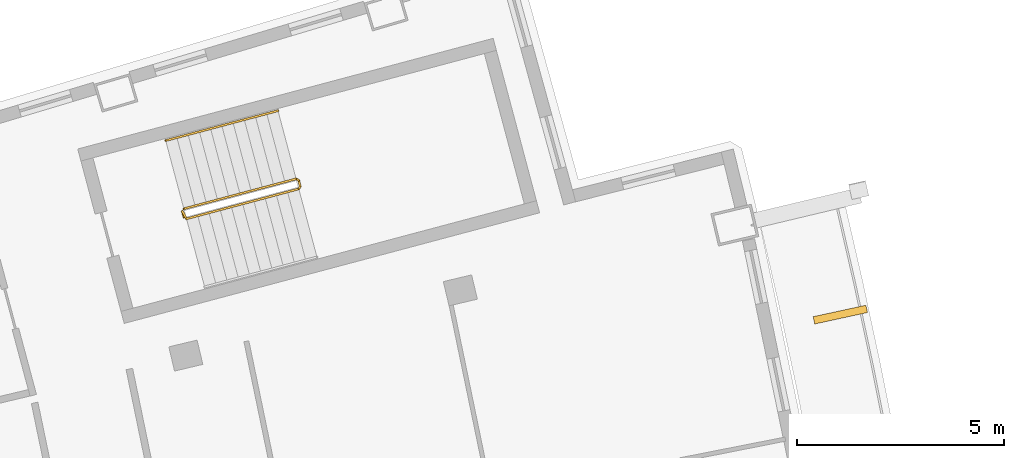
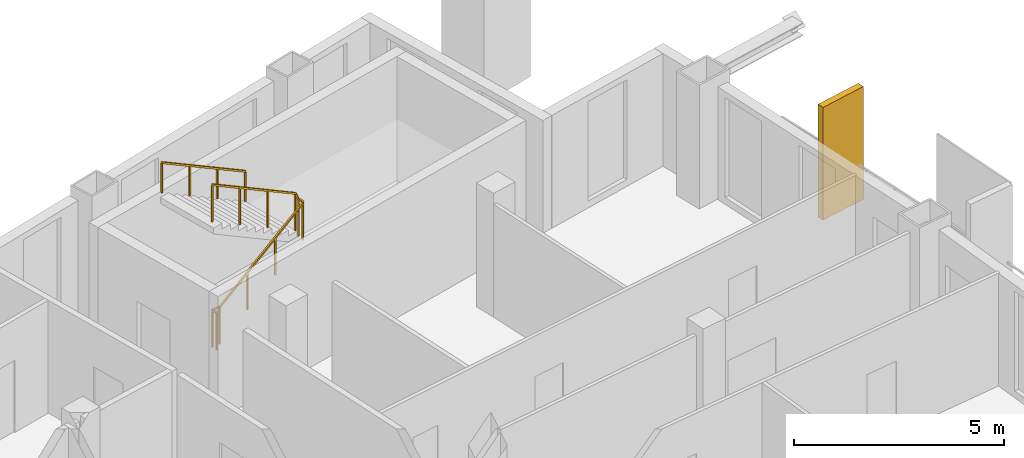
# One storey, part 17 of 17: 2 railings, 1 shading device.
"""IFC4 building model written with IfcOpenShell, lengths in metres."""

from ifc_helpers import new_model, si_unit, direction, frame, origin, origin_2d, place, context, subcontext, project, spatial, rectangle, extrude, material, layer, layer_set, type_object, element, save


model = new_model("IFC4")

# Units and contexts
model_context = context("Model", 3, precision=1e-05, world=origin(), true_north=direction((0.0, 1.0)))
body_context = subcontext(model_context, "Body", "Model", "MODEL_VIEW")
ifc_project = project(units=[si_unit("LENGTHUNIT", "METRE"), si_unit("AREAUNIT", "SQUARE_METRE"), si_unit("VOLUMEUNIT", "CUBIC_METRE"), si_unit("PLANEANGLEUNIT", "RADIAN"), si_unit("MASSUNIT", "GRAM", prefix="KILO")], contexts=[model_context])

# Site, building, storey
site_placement = place(None, origin())
site = spatial("IfcSite", under=ifc_project, at=site_placement, CompositionType="ELEMENT")
building_placement = place(site_placement, origin())
building = spatial("IfcBuilding", under=site, at=building_placement, Name="Alderwake Tower", CompositionType="ELEMENT")
storey_placement = place(building_placement, frame((0.0, 0.0, 274.39990234375)))
storey = spatial("IfcBuildingStorey", under=building, at=storey_placement, Name="L68", CompositionType="ELEMENT", Elevation=274.39990234375)

# Shading device
ifc_material_1 = material(Name="Bronze anodised aluminium", Category="aluminium")
ifc_layer = layer(ifc_material_1, 0.179931640625)
ifc_layer_set = layer_set([ifc_layer], Name="Facade fin 1300")
shading_device_type = type_object("IfcShadingDeviceType", Name="Facade fin 1300", PredefinedType="USERDEFINED", material=ifc_layer_set)
shading_device_placement = place(storey_placement, frame((55.050537109375, 90.336181640625, 0.0), z_axis=(0.0, 0.0, 1.0), x_axis=(0.977210363881, 0.212273184185, 0.0)))
element("IfcShadingDevice", 1, at=shading_device_placement, inside=storey, type_object=shading_device_type, Name="Fin", ObjectType="FIN", PredefinedType="USERDEFINED", context=body_context, shape_type="SweptSolid", body=[
    extrude(rectangle(XDim=1.300048828125, YDim=0.179931640625, at=origin_2d()), origin(), (0.0, 0.0, 1.0), 3.280029296875),
])

# Railings
ifc_material_2 = material(Name="Stainless steel guard", Category="steel")
railing_type_1 = type_object("IfcRailingType", Name="Stair guard 1100", PredefinedType="GUARDRAIL", material=ifc_material_2)
railing_1_placement = place(storey_placement, frame((39.23291015625, 92.6806640625, 0.0)))
element("IfcRailing", 2, at=railing_1_placement, inside=storey, type_object=railing_type_1, Name="L68 ST-A stair guard 1", PredefinedType="GUARDRAIL", context=body_context, shape_type="SweptSolid", body=[
    extrude(rectangle(XDim=0.048095703125, YDim=0.048095703125, at=origin_2d()), frame((0.0, 0.0, 1.076171875), z_axis=(-0.257055032184, 0.966396766566, 0.0), x_axis=(-0.966396766566, -0.257055032184, 0.0)), (0.0, 0.0, 1.0), 0.150146484375),
    extrude(rectangle(XDim=0.048095703125, YDim=0.048095703125, at=origin_2d()), frame((-0.03857421875, 0.14501953125, 1.076171875), z_axis=(0.379152066478, -0.68506938173, 0.622031874345), x_axis=(0.874937996095, 0.484234966715, 0.0)), (0.0, 0.0, 1.0), 0.263427734375),
    extrude(rectangle(XDim=0.048095703125, YDim=0.048095703125, at=origin_2d()), frame((0.061279296875, -0.035400390625, 1.23974609375), z_axis=(0.834290631165, 0.222236594766, 0.504549342183), x_axis=(-0.257402139082, 0.966304371715, 0.0)), (0.0, 0.0, 1.0), 3.242919921875),
    extrude(rectangle(XDim=0.048095703125, YDim=0.048095703125, at=origin_2d()), frame((2.766845703125, 0.685302734375, 2.8759765625), z_axis=(0.500220121494, 0.865898279276, 0.0), x_axis=(-0.865898279276, 0.500220121494, 0.0)), (0.0, 0.0, 1.0), 0.07080078125),
    extrude(rectangle(XDim=0.048095703125, YDim=0.048095703125, at=origin_2d()), frame((2.80224609375, 0.74658203125, 2.8759765625), z_axis=(-0.257459803502, 0.966289009345, 0.0), x_axis=(-0.966289009345, -0.257459803502, 0.0)), (0.0, 0.0, 1.0), 0.14990234375),
    extrude(rectangle(XDim=0.048095703125, YDim=0.048095703125, at=origin_2d()), frame((2.763671875, 0.891357421875, 2.8759765625), z_axis=(-0.34252489212, 0.200034536998, 0.917966710881), x_axis=(-0.504300490226, -0.863528236688, 0.0)), (0.0, 0.0, 1.0), 0.17822265625),
    extrude(rectangle(XDim=0.048095703125, YDim=0.048095703125, at=origin_2d()), frame((2.70263671875, 0.927001953125, 3.03955078125), z_axis=(-0.834281824786, -0.222214197128, 0.504573768072), x_axis=(0.257380452725, -0.966310148221, 0.0)), (0.0, 0.0, 1.0), 3.2431640625),
    extrude(rectangle(XDim=0.0419921875, YDim=0.0419921875, at=origin_2d()), frame((0.0, 0.0, 0.0), z_axis=(0.0, 0.0, 1.0), x_axis=(-0.257055032184, 0.966396766566, 0.0)), (0.0, 0.0, 1.0), 1.052001953125),
    extrude(rectangle(XDim=0.0419921875, YDim=0.0419921875, at=origin_2d()), frame((-0.03857421875, 0.14501953125, 0.0), z_axis=(0.0, 0.0, 1.0), x_axis=(0.484234966715, -0.874937996095, 0.0)), (0.0, 0.0, 1.0), 1.052001953125),
    extrude(rectangle(XDim=0.0419921875, YDim=0.0419921875, at=origin_2d()), frame((0.061279296875, -0.035400390625, 0.163818359375), z_axis=(0.0, 0.0, 1.0), x_axis=(0.966304371715, 0.257402139082, 0.0)), (0.0, 0.0, 1.0), 1.052001953125),
    extrude(rectangle(XDim=0.0419921875, YDim=0.0419921875, at=origin_2d()), frame((0.963134765625, 0.204833984375, 0.709228515625), z_axis=(0.0, 0.0, 1.0), x_axis=(0.966304371715, 0.257402139082, 0.0)), (0.0, 0.0, 1.0), 1.052001953125),
    extrude(rectangle(XDim=0.0419921875, YDim=0.0419921875, at=origin_2d()), frame((1.864990234375, 0.445068359375, 1.254638671875), z_axis=(0.0, 0.0, 1.0), x_axis=(0.966304371715, 0.257402139082, 0.0)), (0.0, 0.0, 1.0), 1.052001953125),
    extrude(rectangle(XDim=0.0419921875, YDim=0.0419921875, at=origin_2d()), frame((2.766845703125, 0.685302734375, 1.800048828125), z_axis=(0.0, 0.0, 1.0), x_axis=(0.500220121494, 0.865898279276, 0.0)), (0.0, 0.0, 1.0), 1.052001953125),
    extrude(rectangle(XDim=0.0419921875, YDim=0.0419921875, at=origin_2d()), frame((2.80224609375, 0.74658203125, 1.800048828125), z_axis=(0.0, 0.0, 1.0), x_axis=(-0.257459803502, 0.966289009345, 0.0)), (0.0, 0.0, 1.0), 1.052001953125),
    extrude(rectangle(XDim=0.0419921875, YDim=0.0419921875, at=origin_2d()), frame((2.763671875, 0.891357421875, 1.800048828125), z_axis=(0.0, 0.0, 1.0), x_axis=(-0.863528236688, 0.504300490226, 0.0)), (0.0, 0.0, 1.0), 1.052001953125),
    extrude(rectangle(XDim=0.0419921875, YDim=0.0419921875, at=origin_2d()), frame((2.70263671875, 0.927001953125, 1.963623046875), z_axis=(0.0, 0.0, 1.0), x_axis=(-0.966310148221, -0.257380452725, 0.0)), (0.0, 0.0, 1.0), 1.052001953125),
    extrude(rectangle(XDim=0.0419921875, YDim=0.0419921875, at=origin_2d()), frame((1.80078125, 0.686767578125, 2.509033203125), z_axis=(0.0, 0.0, 1.0), x_axis=(-0.966310148221, -0.257380452725, 0.0)), (0.0, 0.0, 1.0), 1.052001953125),
    extrude(rectangle(XDim=0.0419921875, YDim=0.0419921875, at=origin_2d()), frame((0.898681640625, 0.446533203125, 3.0546875), z_axis=(0.0, 0.0, 1.0), x_axis=(-0.966310148221, -0.257380452725, 0.0)), (0.0, 0.0, 1.0), 1.052001953125),
    extrude(rectangle(XDim=0.0419921875, YDim=0.0419921875, at=origin_2d()), frame((-0.003173828125, 0.206298828125, 3.60009765625), z_axis=(0.0, 0.0, 1.0), x_axis=(-0.966310148221, -0.257380452725, 0.0)), (0.0, 0.0, 1.0), 1.052001953125),
])
ifc_material_3 = material(Name="Stainless steel handrail", Category="steel")
railing_type_2 = type_object("IfcRailingType", Name="Stair handrail 900", PredefinedType="HANDRAIL", material=ifc_material_3)
railing_2_placement = place(storey_placement, frame((41.497802734375, 95.250244140625, 1.963623046875)))
element("IfcRailing", 3, at=railing_2_placement, inside=storey, type_object=railing_type_2, Name="L68 ST-A stair handrail 2", PredefinedType="HANDRAIL", context=body_context, shape_type="SweptSolid", body=[
    extrude(rectangle(XDim=0.048095703125, YDim=0.048095703125, at=origin_2d()), frame((0.0, 0.0, 0.8759765625), z_axis=(-0.834258940753, -0.22222815314, 0.504605457487), x_axis=(0.257402139082, -0.966304371715, 0.0)), (0.0, 0.0, 1.0), 3.2431640625),
    extrude(rectangle(XDim=0.0419921875, YDim=0.0419921875, at=origin_2d()), frame((0.0, 0.0, 0.0), z_axis=(0.0, 0.0, 1.0), x_axis=(-0.966304371715, -0.257402139082, 0.0)), (0.0, 0.0, 1.0), 0.851806640625),
    extrude(rectangle(XDim=0.0419921875, YDim=0.0419921875, at=origin_2d()), frame((-0.90185546875, -0.240234375, 0.54541015625), z_axis=(0.0, 0.0, 1.0), x_axis=(-0.966304371715, -0.257402139082, 0.0)), (0.0, 0.0, 1.0), 0.851806640625),
    extrude(rectangle(XDim=0.0419921875, YDim=0.0419921875, at=origin_2d()), frame((-1.8037109375, -0.48046875, 1.091064453125), z_axis=(0.0, 0.0, 1.0), x_axis=(-0.966304371715, -0.257402139082, 0.0)), (0.0, 0.0, 1.0), 0.851806640625),
    extrude(rectangle(XDim=0.0419921875, YDim=0.0419921875, at=origin_2d()), frame((-2.70556640625, -0.720703125, 1.636474609375), z_axis=(0.0, 0.0, 1.0), x_axis=(-0.966304371715, -0.257402139082, 0.0)), (0.0, 0.0, 1.0), 0.851806640625),
])

save(model, "model.ifc")
